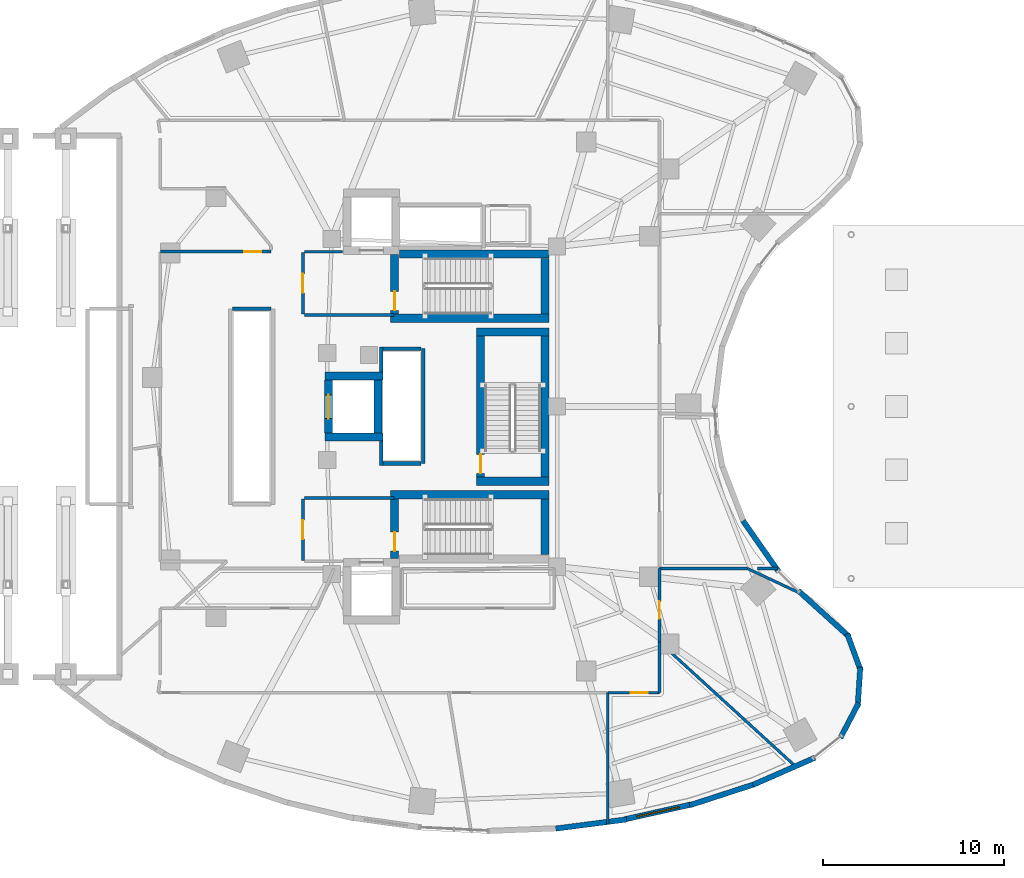
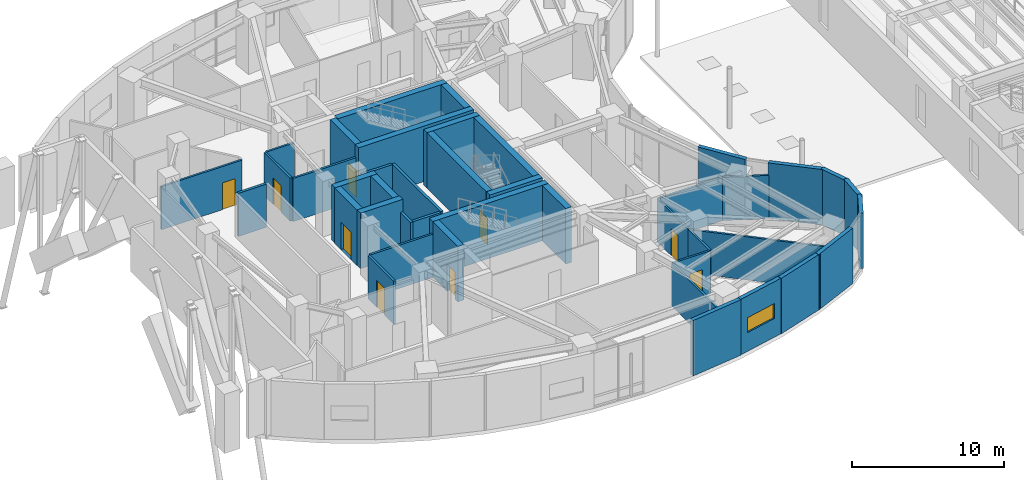
# One storey, part 16 of 24: 44 walls, 9 doors, 1 window, 10 openings.
"""IFC4 building model written with IfcOpenShell, lengths in metres."""

from ifc_helpers import new_model, si_unit, direction, frame, frame_2d, origin, place, context, subcontext, project, spatial, rectangle, extrude, material, layer, layer_set, type_object, element, fill, save


model = new_model("IFC4")

# Units and contexts
model_context = context("Model", 3, precision=1e-05, world=origin(), true_north=direction((0.0, 1.0)))
body_context = subcontext(model_context, "Body", "Model", "MODEL_VIEW")
ifc_project = project(units=[si_unit("LENGTHUNIT", "METRE"), si_unit("AREAUNIT", "SQUARE_METRE"), si_unit("VOLUMEUNIT", "CUBIC_METRE"), si_unit("PLANEANGLEUNIT", "RADIAN"), si_unit("MASSUNIT", "GRAM", prefix="KILO")], contexts=[model_context])

# Site, building, storey
site_placement = place(None, origin())
site = spatial("IfcSite", under=ifc_project, at=site_placement, CompositionType="ELEMENT")
building_placement = place(site_placement, origin())
building = spatial("IfcBuilding", under=site, at=building_placement, Name="Korentha Bioscience Tower", CompositionType="ELEMENT")
storey_placement = place(building_placement, frame((0.0, 0.0, 10.199951171875)))
storey = spatial("IfcBuildingStorey", under=building, at=storey_placement, Name="L02", CompositionType="ELEMENT", Elevation=10.199951171875)

# Wall, opening, door
ifc_material_1 = material(Name="Double-Stud Acoustic Gypsum", Category="gypsum")
ifc_layer_1 = layer(ifc_material_1, 0.14990234375, Name="Double-Stud Acoustic Gypsum")
ifc_layer_set_1 = layer_set([ifc_layer_1], Name="Double-Stud Acoustic Gypsum (IW-L150)")
wall_type_1 = type_object("IfcWallType", Name="Acoustic Laboratory Partition Wall 150", PredefinedType="PARTITIONING", material=ifc_layer_set_1)
wall_1_placement = place(storey_placement, frame((40.35791015625, 11.18994140625, 0.0), z_axis=(0.0, 0.0, 1.0), x_axis=(1.0, 0.0, 0.0)))
wall_1 = element("IfcWall", 1, at=wall_1_placement, inside=storey, type_object=wall_type_1, Name="L02 Faculty Dining Restaurant 06 Entrance Wall", PredefinedType="PARTITIONING", context=body_context, shape_type="SweptSolid", body=[
    extrude(rectangle(XDim=2.842041015625, YDim=0.14990234375, at=frame_2d((1.4208984375, 0.0))), origin(), (0.0, 0.0, 1.0), 3.4599609375),
])
opening_1_placement = place(wall_1_placement, frame((1.25537109375, 0.0, 0.0)))
opening_1 = element("IfcOpeningElement", 2, at=opening_1_placement, cuts=wall_1, Name="Opening ID-10L", PredefinedType="OPENING", context=body_context, shape_type="SweptSolid", body=[
    extrude(rectangle(XDim=0.949951171875, YDim=2.14990234375, at=frame_2d((0.47509765625, 1.074951171875))), frame((0.0, 0.08984375, 0.0), z_axis=(0.0, -1.0, 0.0), x_axis=(1.0, 0.0, 0.0)), (0.0, 0.0, 1.0), 0.1796875),
])
ifc_material_2 = material(Name="Phenolic Laminate Timber Core", Category="wood")
door_type_1 = type_object("IfcDoorType", Name="Laboratory Single Leaf Door 950x2150 Left", OperationType="SINGLE_SWING_LEFT", PredefinedType="DOOR", material=ifc_material_2)
door_1_placement = place(opening_1_placement, origin())
door_1 = element("IfcDoor", 3, at=door_1_placement, inside=storey, type_object=door_type_1, Name="L02 Faculty Dining Restaurant 06 Door", OperationType="SINGLE_SWING_LEFT", OverallHeight=2.14990234375, OverallWidth=0.949951171875, PredefinedType="DOOR", context=body_context, shape_type="SweptSolid", body=[
    extrude(rectangle(XDim=0.949951171875, YDim=2.14990234375, at=frame_2d((0.47509765625, 1.074951171875))), frame((0.0, 0.02490234375, 0.0), z_axis=(0.0, -1.0, 0.0), x_axis=(1.0, 0.0, 0.0)), (0.0, 0.0, 1.0), 0.050048828125),
])
fill(opening_1, door_1)

wall_2_placement = place(storey_placement, frame((43.2099609375, 13.99462890625, 0.0), z_axis=(0.0, 0.0, 1.0), x_axis=(0.0, 1.0, 0.0)))
wall_2 = element("IfcWall", 4, at=wall_2_placement, inside=storey, type_object=wall_type_1, Name="L02 Catering Warming Kitchen 07 Entrance Wall", PredefinedType="PARTITIONING", context=body_context, shape_type="SweptSolid", body=[
    extrude(rectangle(XDim=4.053466796875, YDim=0.14990234375, at=frame_2d((2.02685546875, 0.0))), origin(), (0.0, 0.0, 1.0), 3.4599609375),
])
opening_2_placement = place(wall_2_placement, frame((1.2880859375, 0.0, 0.0)))
opening_2 = element("IfcOpeningElement", 5, at=opening_2_placement, cuts=wall_2, Name="Opening ID-10R", PredefinedType="OPENING", context=body_context, shape_type="SweptSolid", body=[
    extrude(rectangle(XDim=0.949951171875, YDim=2.14990234375, at=frame_2d((0.47509765625, 1.074951171875))), frame((0.0, 0.08984375, 0.0), z_axis=(0.0, -1.0, 0.0), x_axis=(1.0, 0.0, 0.0)), (0.0, 0.0, 1.0), 0.1796875),
])
door_type_2 = type_object("IfcDoorType", Name="Laboratory Single Leaf Door 950x2150 Right", OperationType="SINGLE_SWING_RIGHT", PredefinedType="DOOR", material=ifc_material_2)
door_2_placement = place(opening_2_placement, origin())
door_2 = element("IfcDoor", 6, at=door_2_placement, inside=storey, type_object=door_type_2, Name="L02 Catering Warming Kitchen 07 Door", OperationType="SINGLE_SWING_RIGHT", OverallHeight=2.14990234375, OverallWidth=0.949951171875, PredefinedType="DOOR", context=body_context, shape_type="SweptSolid", body=[
    extrude(rectangle(XDim=0.949951171875, YDim=2.14990234375, at=frame_2d((0.47509765625, 1.074951171875))), frame((0.0, 0.02490234375, 0.0), z_axis=(0.0, -1.0, 0.0), x_axis=(1.0, 0.0, 0.0)), (0.0, 0.0, 1.0), 0.050048828125),
])
fill(opening_2, door_2)

wall_3_placement = place(storey_placement, frame((21.739990234375, 35.56005859375, 0.0), z_axis=(0.0, 0.0, 1.0), x_axis=(-1.0, 0.0, 0.0)))
wall_3 = element("IfcWall", 7, at=wall_3_placement, inside=storey, type_object=wall_type_1, Name="L02 Catering Warming Kitchen 15 Entrance Wall", PredefinedType="PARTITIONING", context=body_context, shape_type="SweptSolid", body=[
    extrude(rectangle(XDim=6.10009765625, YDim=0.14990234375, at=frame_2d((3.050048828125, 0.0))), origin(), (0.0, 0.0, 1.0), 3.4599609375),
])
opening_3_placement = place(wall_3_placement, frame((0.5244140625, 0.0, 0.0)))
opening_3 = element("IfcOpeningElement", 8, at=opening_3_placement, cuts=wall_3, Name="Opening ID-10R", PredefinedType="OPENING", context=body_context, shape_type="SweptSolid", body=[
    extrude(rectangle(XDim=0.949951171875, YDim=2.14990234375, at=frame_2d((0.47509765625, 1.074951171875))), frame((0.0, 0.08984375, 0.0), z_axis=(0.0, -1.0, 0.0), x_axis=(1.0, 0.0, 0.0)), (0.0, 0.0, 1.0), 0.1796875),
])
door_3_placement = place(opening_3_placement, origin())
door_3 = element("IfcDoor", 9, at=door_3_placement, inside=storey, type_object=door_type_2, Name="L02 Catering Warming Kitchen 15 Door", OperationType="SINGLE_SWING_RIGHT", OverallHeight=2.14990234375, OverallWidth=0.949951171875, PredefinedType="DOOR", context=body_context, shape_type="SweptSolid", body=[
    extrude(rectangle(XDim=0.949951171875, YDim=2.14990234375, at=frame_2d((0.47509765625, 1.074951171875))), frame((0.0, 0.02490234375, 0.0), z_axis=(0.0, -1.0, 0.0), x_axis=(1.0, 0.0, 0.0)), (0.0, 0.0, 1.0), 0.050048828125),
])
fill(opening_3, door_3)

# Walls
wall_4_placement = place(storey_placement, frame((40.347900390625, 11.18994140625, 0.0), z_axis=(0.0, 0.0, 1.0), x_axis=(0.0, -1.0, 0.0)))
element("IfcWall", 10, at=wall_4_placement, inside=storey, type_object=wall_type_1, Name="L02 Interior Partition 042", PredefinedType="PARTITIONING", context=body_context, shape_type="SweptSolid", body=[
    extrude(rectangle(XDim=7.259033203125, YDim=0.14990234375, at=frame_2d((3.62939453125, 0.0))), origin(), (0.0, 0.0, 1.0), 3.4599609375),
])
wall_5_placement = place(storey_placement, frame((43.2099609375, 11.199951171875, 0.0), z_axis=(0.0, 0.0, 1.0), x_axis=(0.0, 1.0, 0.0)))
element("IfcWall", 11, at=wall_5_placement, inside=storey, type_object=wall_type_1, Name="L02 Interior Partition 043", PredefinedType="PARTITIONING", context=body_context, shape_type="SweptSolid", body=[
    extrude(rectangle(XDim=2.78466796875, YDim=0.14990234375, at=frame_2d((1.392333984375, 0.0))), origin(), (0.0, 0.0, 1.0), 3.4599609375),
])
wall_6_placement = place(storey_placement, frame((43.2099609375, 13.984619140625, 0.0), z_axis=(0.0, 0.0, 1.0), x_axis=(0.738127488768, -0.674661255984, 0.0)))
element("IfcWall", 12, at=wall_6_placement, inside=storey, type_object=wall_type_1, Name="L02 Interior Partition 044", PredefinedType="PARTITIONING", context=body_context, shape_type="SweptSolid", body=[
    extrude(rectangle(XDim=10.278564453125, YDim=0.14990234375, at=frame_2d((5.13916015625, 0.0))), origin(), (0.0, 0.0, 1.0), 3.4599609375),
])
wall_7_placement = place(storey_placement, frame((43.2099609375, 18.048095703125, 0.0), z_axis=(0.0, 0.0, 1.0), x_axis=(1.0, 0.0, 0.0)))
element("IfcWall", 13, at=wall_7_placement, inside=storey, type_object=wall_type_1, Name="L02 Interior Partition 045", PredefinedType="PARTITIONING", context=body_context, shape_type="SweptSolid", body=[
    extrude(rectangle(XDim=4.85693359375, YDim=0.14990234375, at=frame_2d((2.428466796875, 0.0))), origin(), (0.0, 0.0, 1.0), 3.4599609375),
])
wall_8_placement = place(storey_placement, frame((48.06689453125, 18.048095703125, 0.0), z_axis=(0.0, 0.0, 1.0), x_axis=(0.905453321972, -0.42444585253, 0.0)))
element("IfcWall", 14, at=wall_8_placement, inside=storey, type_object=wall_type_1, Name="L02 Interior Partition 046", PredefinedType="PARTITIONING", context=body_context, shape_type="SweptSolid", body=[
    extrude(rectangle(XDim=3.1337890625, YDim=0.14990234375, at=frame_2d((1.56689453125, 0.0))), origin(), (0.0, 0.0, 1.0), 3.4599609375),
])

# Wall, opening, door
ifc_material_3 = material(Name="Gypsum-Clad Steel Stud", Category="steel")
ifc_layer_2 = layer(ifc_material_3, 0.159912109375, Name="Gypsum-Clad Steel Stud")
ifc_layer_set_2 = layer_set([ifc_layer_2], Name="Gypsum-Clad Steel Stud (IW-C160)")
wall_type_2 = type_object("IfcWallType", Name="Fire-Rated Corridor Partition Wall 160", PredefinedType="PARTITIONING", material=ifc_layer_set_2)
wall_9_placement = place(storey_placement, frame((23.5, 32.10009765625, 0.0), z_axis=(0.0, 0.0, 1.0), x_axis=(0.0, 1.0, 0.0)))
wall_9 = element("IfcWall", 15, at=wall_9_placement, inside=storey, type_object=wall_type_2, Name="L02 FFLN-CW Rated Enclosure Wall", PredefinedType="PARTITIONING", context=body_context, shape_type="SweptSolid", body=[
    extrude(rectangle(XDim=3.39990234375, YDim=0.159912109375, at=frame_2d((1.699951171875, 0.0))), origin(), (0.0, 0.0, 1.0), 3.4599609375),
])
opening_4_placement = place(wall_9_placement, frame((1.175048828125, 0.0, 0.0)))
opening_4 = element("IfcOpeningElement", 16, at=opening_4_placement, cuts=wall_9, Name="Opening FD-90L", PredefinedType="OPENING", context=body_context, shape_type="SweptSolid", body=[
    extrude(rectangle(XDim=1.050048828125, YDim=2.14990234375, at=frame_2d((0.52490234375, 1.074951171875))), frame((0.0, 0.0947265625, 0.0), z_axis=(0.0, -1.0, 0.0), x_axis=(1.0, 0.0, 0.0)), (0.0, 0.0, 1.0), 0.189697265625),
])
ifc_material_4 = material(Name="Powder-Coated Fire-Rated Steel", Category="steel")
door_type_3 = type_object("IfcDoorType", Name="Stairwell Fire Exit Door 1050x2150 Left", OperationType="SINGLE_SWING_LEFT", PredefinedType="DOOR", material=ifc_material_4)
door_4_placement = place(opening_4_placement, origin())
door_4 = element("IfcDoor", 17, at=door_4_placement, inside=storey, type_object=door_type_3, Name="L02 North Firefighting Lobby Door", OperationType="SINGLE_SWING_LEFT", OverallHeight=2.14990234375, OverallWidth=1.050048828125, PredefinedType="DOOR", context=body_context, shape_type="SweptSolid", body=[
    extrude(rectangle(XDim=1.050048828125, YDim=2.14990234375, at=frame_2d((0.52490234375, 1.074951171875))), frame((0.0, 0.02490234375, 0.0), z_axis=(0.0, -1.0, 0.0), x_axis=(1.0, 0.0, 0.0)), (0.0, 0.0, 1.0), 0.050048828125),
])
fill(opening_4, door_4)

wall_10_placement = place(storey_placement, frame((23.5, 18.5, 0.0), z_axis=(0.0, 0.0, 1.0), x_axis=(0.0, 1.0, 0.0)))
wall_10 = element("IfcWall", 18, at=wall_10_placement, inside=storey, type_object=wall_type_2, Name="L02 FFLS-CW Rated Enclosure Wall", PredefinedType="PARTITIONING", context=body_context, shape_type="SweptSolid", body=[
    extrude(rectangle(XDim=3.39990234375, YDim=0.159912109375, at=frame_2d((1.699951171875, 0.0))), origin(), (0.0, 0.0, 1.0), 3.4599609375),
])
opening_5_placement = place(wall_10_placement, frame((1.175048828125, 0.0, 0.0)))
opening_5 = element("IfcOpeningElement", 19, at=opening_5_placement, cuts=wall_10, Name="Opening FD-90L", PredefinedType="OPENING", context=body_context, shape_type="SweptSolid", body=[
    extrude(rectangle(XDim=1.050048828125, YDim=2.14990234375, at=frame_2d((0.52490234375, 1.074951171875))), frame((0.0, 0.0947265625, 0.0), z_axis=(0.0, -1.0, 0.0), x_axis=(1.0, 0.0, 0.0)), (0.0, 0.0, 1.0), 0.189697265625),
])
door_5_placement = place(opening_5_placement, origin())
door_5 = element("IfcDoor", 20, at=door_5_placement, inside=storey, type_object=door_type_3, Name="L02 South Firefighting Lobby Door", OperationType="SINGLE_SWING_LEFT", OverallHeight=2.14990234375, OverallWidth=1.050048828125, PredefinedType="DOOR", context=body_context, shape_type="SweptSolid", body=[
    extrude(rectangle(XDim=1.050048828125, YDim=2.14990234375, at=frame_2d((0.52490234375, 1.074951171875))), frame((0.0, 0.02490234375, 0.0), z_axis=(0.0, -1.0, 0.0), x_axis=(1.0, 0.0, 0.0)), (0.0, 0.0, 1.0), 0.050048828125),
])
fill(opening_5, door_5)

# Walls
wall_11_placement = place(storey_placement, frame((23.580078125, 32.050048828125, 0.0), z_axis=(0.0, 0.0, 1.0), x_axis=(1.0, 0.0, 0.0)))
element("IfcWall", 21, at=wall_11_placement, inside=storey, type_object=wall_type_2, Name="L02 Firefighting Lobby Return Wall FFLN-S", PredefinedType="PARTITIONING", context=body_context, shape_type="SweptSolid", body=[
    extrude(rectangle(XDim=4.969970703125, YDim=0.159912109375, at=frame_2d((2.48486328125, 0.0))), origin(), (0.0, 0.0, 1.0), 3.4599609375),
])
wall_12_placement = place(storey_placement, frame((23.580078125, 35.550048828125, 0.0), z_axis=(0.0, 0.0, 1.0), x_axis=(1.0, 0.0, 0.0)))
element("IfcWall", 22, at=wall_12_placement, inside=storey, type_object=wall_type_2, Name="L02 Firefighting Lobby Return Wall FFLN-N", PredefinedType="PARTITIONING", context=body_context, shape_type="SweptSolid", body=[
    extrude(rectangle(XDim=2.119873046875, YDim=0.159912109375, at=frame_2d((1.06005859375, 0.0))), origin(), (0.0, 0.0, 1.0), 3.4599609375),
])
wall_13_placement = place(storey_placement, frame((23.580078125, 21.949951171875, 0.0), z_axis=(0.0, 0.0, 1.0), x_axis=(1.0, 0.0, 0.0)))
element("IfcWall", 23, at=wall_13_placement, inside=storey, type_object=wall_type_2, Name="L02 Firefighting Lobby Return Wall FFLS-N", PredefinedType="PARTITIONING", context=body_context, shape_type="SweptSolid", body=[
    extrude(rectangle(XDim=4.969970703125, YDim=0.159912109375, at=frame_2d((2.48486328125, 0.0))), origin(), (0.0, 0.0, 1.0), 3.4599609375),
])
wall_14_placement = place(storey_placement, frame((49.73828125, 18.052001953125, 0.0), z_axis=(0.0, 0.0, 1.0), x_axis=(-1.0, 0.0, 0.0)))
element("IfcWall", 24, at=wall_14_placement, inside=storey, type_object=wall_type_2, Name="L02 Interior Partition 047", PredefinedType="PARTITIONING", context=body_context, shape_type="SweptSolid", body=[
    extrude(rectangle(XDim=1.114501953125, YDim=0.159912109375, at=frame_2d((0.55712890625, 0.0))), origin(), (0.0, 0.0, 1.0), 3.4599609375),
])

# Wall, opening, window
ifc_material_5 = material(Name="Honed Limestone Precast Concrete C40", Category="masonry")
ifc_layer_3 = layer(ifc_material_5, 0.300048828125, Name="Honed Limestone Precast Concrete C40")
ifc_layer_set_3 = layer_set([ifc_layer_3], Name="Honed Limestone Precast Concrete C40 (EW-ST300)")
wall_type_3 = type_object("IfcWallType", Name="Honed Limestone Cavity Spandrel Wall 300", PredefinedType="STANDARD", material=ifc_layer_set_3)
wall_15_placement = place(storey_placement, frame((41.239990234375, 4.17919921875, 0.0), z_axis=(0.0, 0.0, 1.0), x_axis=(0.9758772609, 0.218319883791, 0.0)))
wall_15 = element("IfcWall", 25, at=wall_15_placement, inside=storey, type_object=wall_type_3, Name="L02 Honed Limestone Spandrel Wall 34", PredefinedType="STANDARD", context=body_context, shape_type="SweptSolid", body=[
    extrude(rectangle(XDim=3.869140625, YDim=0.300048828125, at=frame_2d((1.9345703125, 0.0))), origin(), (0.0, 0.0, 1.0), 4.449951171875),
])
opening_6_placement = place(wall_15_placement, frame((0.734619140625, 0.0, 1.5)))
opening_6 = element("IfcOpeningElement", 26, at=opening_6_placement, cuts=wall_15, Name="Opening WN-04", PredefinedType="OPENING", context=body_context, shape_type="SweptSolid", body=[
    extrude(rectangle(XDim=2.39990234375, YDim=1.199951171875, at=frame_2d((1.199951171875, 0.60009765625))), frame((0.0, 0.1650390625, 0.0), z_axis=(0.0, -1.0, 0.0), x_axis=(1.0, 0.0, 0.0)), (0.0, 0.0, 1.0), 0.329833984375),
])
ifc_material_6 = material(Name="Thermally Broken Aluminium Triple Glazing", Category="aluminium")
window_type = type_object("IfcWindowType", Name="Podium Clerestory Ribbon Window 2400x1200", PartitioningType="DOUBLE_PANEL_HORIZONTAL", PredefinedType="WINDOW", material=ifc_material_6)
window_placement = place(opening_6_placement, origin())
window = element("IfcWindow", 27, at=window_placement, inside=storey, type_object=window_type, Name="L02 Facade Window 34", OverallHeight=1.199951171875, OverallWidth=2.39990234375, PartitioningType="DOUBLE_PANEL_HORIZONTAL", PredefinedType="WINDOW", context=body_context, shape_type="SweptSolid", body=[
    extrude(rectangle(XDim=2.39990234375, YDim=1.199951171875, at=frame_2d((1.199951171875, 0.60009765625))), frame((0.0, 0.030029296875, 0.0), z_axis=(0.0, -1.0, 0.0), x_axis=(1.0, 0.0, 0.0)), (0.0, 0.0, 1.0), 0.06005859375),
])
fill(opening_6, window)

# Walls
wall_16_placement = place(storey_placement, frame((37.471923828125, 3.677734375, 0.0), z_axis=(0.0, 0.0, 1.0), x_axis=(0.991734095036, 0.128310111617, 0.0)))
element("IfcWall", 28, at=wall_16_placement, inside=storey, type_object=wall_type_3, Name="L02 Limestone Perimeter Closure Wall 33", PredefinedType="STANDARD", context=body_context, shape_type="SweptSolid", body=[
    extrude(rectangle(XDim=3.955810546875, YDim=0.300048828125, at=frame_2d((1.97802734375, 0.0))), origin(), (0.0, 0.0, 1.0), 4.449951171875),
])
wall_17_placement = place(storey_placement, frame((44.872802734375, 4.963134765625, 0.0), z_axis=(0.0, 0.0, 1.0), x_axis=(0.950965833732, 0.309295947393, 0.0)))
element("IfcWall", 29, at=wall_17_placement, inside=storey, type_object=wall_type_3, Name="L02 Limestone Perimeter Closure Wall 35", PredefinedType="STANDARD", context=body_context, shape_type="SweptSolid", body=[
    extrude(rectangle(XDim=3.840087890625, YDim=0.300048828125, at=frame_2d((1.919921875, 0.0))), origin(), (0.0, 0.0, 1.0), 4.449951171875),
])
wall_18_placement = place(storey_placement, frame((48.3623046875, 6.089111328125, 0.0), z_axis=(0.0, 0.0, 1.0), x_axis=(0.915945168042, 0.401303437738, 0.0)))
element("IfcWall", 30, at=wall_18_placement, inside=storey, type_object=wall_type_3, Name="L02 Limestone Perimeter Closure Wall 36", PredefinedType="STANDARD", context=body_context, shape_type="SweptSolid", body=[
    extrude(rectangle(XDim=3.75244140625, YDim=0.300048828125, at=frame_2d((1.876220703125, 0.0))), origin(), (0.0, 0.0, 1.0), 4.449951171875),
])
wall_19_placement = place(storey_placement, frame((53.20751953125, 8.691650390625, 0.0), z_axis=(0.0, 0.0, 1.0), x_axis=(0.463035066673, 0.886339961319, 0.0)))
element("IfcWall", 31, at=wall_19_placement, inside=storey, type_object=wall_type_3, Name="L02 Limestone Perimeter Closure Wall 38", PredefinedType="STANDARD", context=body_context, shape_type="SweptSolid", body=[
    extrude(rectangle(XDim=2.1875, YDim=0.300048828125, at=frame_2d((1.09375, 0.0))), origin(), (0.0, 0.0, 1.0), 4.449951171875),
])
for number, where, z_axis, x_axis, name in (
    (32, (54.16259765625, 10.42431640625, 0.0), (0.0, 0.0, 1.0), (0.064615302336, 0.99791024782, 0.0), "L02 Limestone Perimeter Closure Wall 39"),
    (33, (54.334716796875, 12.39501953125, 0.0), (0.0, 0.0, 1.0), (-0.344939866054, 0.938624785954, 0.0), "L02 Limestone Perimeter Closure Wall 40"),
):
    element("IfcWall", number, at=place(storey_placement, frame(where, z_axis=z_axis, x_axis=x_axis)), inside=storey, type_object=wall_type_3, Name=name, PredefinedType="STANDARD", context=body_context, shape_type="SweptSolid", body=[
        extrude(rectangle(XDim=2.187744140625, YDim=0.300048828125, at=frame_2d((1.09375, 0.0))), origin(), (0.0, 0.0, 1.0), 4.449951171875),
    ])
wall_20_placement = place(storey_placement, frame((53.704345703125, 14.26416015625, 0.0), z_axis=(0.0, 0.0, 1.0), x_axis=(-0.74117794387, 0.671308614216, 0.0)))
element("IfcWall", 34, at=wall_20_placement, inside=storey, type_object=wall_type_3, Name="L02 Limestone Perimeter Closure Wall 41", PredefinedType="STANDARD", context=body_context, shape_type="SweptSolid", body=[
    extrude(rectangle(XDim=3.815673828125, YDim=0.300048828125, at=frame_2d((1.90771484375, 0.0))), origin(), (0.0, 0.0, 1.0), 4.449951171875),
])
wall_21_placement = place(storey_placement, frame((49.79248046875, 17.8779296875, 0.0), z_axis=(0.0, 0.0, 1.0), x_axis=(-0.573576992806, 0.819151654655, 0.0)))
element("IfcWall", 35, at=wall_21_placement, inside=storey, type_object=wall_type_3, Name="L02 Limestone Perimeter Closure Wall 44", PredefinedType="STANDARD", context=body_context, shape_type="SweptSolid", body=[
    extrude(rectangle(XDim=3.429931640625, YDim=0.300048828125, at=frame_2d((1.71484375, 0.0))), origin(), (0.0, 0.0, 1.0), 4.449951171875),
])
ifc_material_7 = material(Name="Autoclaved Aerated Concrete Block C25", Category="concrete")
ifc_layer_4 = layer(ifc_material_7, 0.199951171875, Name="Autoclaved Aerated Concrete Block C25")
ifc_layer_set_4 = layer_set([ifc_layer_4], Name="Autoclaved Aerated Concrete Block C25 (IW-S200)")
wall_type_4 = type_object("IfcWallType", Name="Lift and Riser Shaft Enclosure Wall 200", PredefinedType="PARTITIONING", material=ifc_layer_set_4)
wall_22_placement = place(storey_placement, frame((19.6201171875, 32.39990234375, 0.0), z_axis=(0.0, 0.0, 1.0), x_axis=(1.0, 0.0, 0.0)))
element("IfcWall", 36, at=wall_22_placement, inside=storey, type_object=wall_type_4, Name="L02 Lift Bank MID Shaft Wall +Y", PredefinedType="PARTITIONING", context=body_context, shape_type="SweptSolid", body=[
    extrude(rectangle(XDim=2.10986328125, YDim=0.199951171875, at=frame_2d((1.054931640625, 0.0))), origin(), (0.0, 0.0, 1.0), 3.4599609375),
])
wall_23_placement = place(storey_placement, frame((27.830078125, 23.75, 0.0), z_axis=(0.0, 0.0, 1.0), x_axis=(0.0, 1.0, 0.0)))
element("IfcWall", 37, at=wall_23_placement, inside=storey, type_object=wall_type_4, Name="L02 Lift Bank HIGH Shaft Wall -XS", PredefinedType="PARTITIONING", context=body_context, shape_type="SweptSolid", body=[
    extrude(rectangle(XDim=1.341064453125, YDim=0.199951171875, at=frame_2d((0.67041015625, 0.0))), origin(), (0.0, 0.0, 1.0), 3.4599609375),
])
wall_24_placement = place(storey_placement, frame((27.830078125, 28.908935546875, 0.0), z_axis=(0.0, 0.0, 1.0), x_axis=(0.0, 1.0, 0.0)))
element("IfcWall", 38, at=wall_24_placement, inside=storey, type_object=wall_type_4, Name="L02 Lift Bank HIGH Shaft Wall -XN", PredefinedType="PARTITIONING", context=body_context, shape_type="SweptSolid", body=[
    extrude(rectangle(XDim=1.39111328125, YDim=0.199951171875, at=frame_2d((0.695556640625, 0.0))), origin(), (0.0, 0.0, 1.0), 3.4599609375),
])
wall_25_placement = place(storey_placement, frame((30.14990234375, 23.85009765625, 0.0), z_axis=(0.0, 0.0, 1.0), x_axis=(0.0, 1.0, 0.0)))
element("IfcWall", 39, at=wall_25_placement, inside=storey, type_object=wall_type_4, Name="L02 Lift Bank HIGH Shaft Wall +X", PredefinedType="PARTITIONING", context=body_context, shape_type="SweptSolid", body=[
    extrude(rectangle(XDim=6.349853515625, YDim=0.199951171875, at=frame_2d((3.1748046875, 0.0))), origin(), (0.0, 0.0, 1.0), 3.4599609375),
])
for number, where, z_axis, x_axis, name in (
    (40, (27.93408203125, 23.85009765625, 0.0), (0.0, 0.0, 1.0), (1.0, 0.0, 0.0), "L02 Lift Bank HIGH Shaft Wall -Y"),
    (41, (27.93408203125, 30.199951171875, 0.0), (0.0, 0.0, 1.0), (1.0, 0.0, 0.0), "L02 Lift Bank HIGH Shaft Wall +Y"),
):
    element("IfcWall", number, at=place(storey_placement, frame(where, z_axis=z_axis, x_axis=x_axis)), inside=storey, type_object=wall_type_4, Name=name, PredefinedType="PARTITIONING", context=body_context, shape_type="SweptSolid", body=[
        extrude(rectangle(XDim=2.095947265625, YDim=0.199951171875, at=frame_2d((1.0478515625, 0.0))), origin(), (0.0, 0.0, 1.0), 3.4599609375),
    ])
ifc_material_8 = material(Name="Concrete C80", Category="concrete")
ifc_layer_5 = layer(ifc_material_8, 0.449951171875, Name="Concrete C80")
ifc_layer_set_5 = layer_set([ifc_layer_5], Name="Concrete C80 (CW-C80)")
wall_type_5 = type_object("IfcWallType", Name="Lower Core Shear Wall 450", PredefinedType="SHEAR", material=ifc_layer_set_5)
wall_26_placement = place(storey_placement, frame((28.85205078125, 35.425048828125, 0.0), z_axis=(0.0, 0.0, 1.0), x_axis=(1.0, 0.0, 0.0)))
element("IfcWall", 42, at=wall_26_placement, inside=storey, type_object=wall_type_5, Name="L02 Core Shear Wall ST1-N", PredefinedType="SHEAR", context=body_context, shape_type="SweptSolid", body=[
    extrude(rectangle(XDim=8.248046875, YDim=0.449951171875, at=frame_2d((4.1240234375, 0.0))), origin(), (0.0, 0.0, 1.0), 4.449951171875),
])
wall_27_placement = place(storey_placement, frame((28.35009765625, 31.875, 0.0), z_axis=(0.0, 0.0, 1.0), x_axis=(1.0, 0.0, 0.0)))
element("IfcWall", 43, at=wall_27_placement, inside=storey, type_object=wall_type_5, Name="L02 Core Shear Wall ST1-S", PredefinedType="SHEAR", context=body_context, shape_type="SweptSolid", body=[
    extrude(rectangle(XDim=8.75, YDim=0.449951171875, at=frame_2d((4.375, 0.0))), origin(), (0.0, 0.0, 1.0), 4.449951171875),
])
wall_28_placement = place(storey_placement, frame((36.875, 32.110107421875, 0.0), z_axis=(0.0, 0.0, 1.0), x_axis=(0.0, 1.0, 0.0)))
element("IfcWall", 44, at=wall_28_placement, inside=storey, type_object=wall_type_5, Name="L02 Core Shear Wall ST1-E", PredefinedType="SHEAR", context=body_context, shape_type="SweptSolid", body=[
    extrude(rectangle(XDim=3.079833984375, YDim=0.449951171875, at=frame_2d((1.5400390625, 0.0))), origin(), (0.0, 0.0, 1.0), 4.449951171875),
])

# Wall, opening, door
wall_29_placement = place(storey_placement, frame((28.574951171875, 32.110107421875, 0.0), z_axis=(0.0, 0.0, 1.0), x_axis=(0.0, 1.0, 0.0)))
wall_29 = element("IfcWall", 45, at=wall_29_placement, inside=storey, type_object=wall_type_5, Name="L02 Core Shear Wall ST1-W", PredefinedType="SHEAR", context=body_context, shape_type="SweptSolid", body=[
    extrude(rectangle(XDim=3.282958984375, YDim=0.449951171875, at=frame_2d((1.6416015625, 0.0))), origin(), (0.0, 0.0, 1.0), 4.449951171875),
])
opening_7_placement = place(wall_29_placement, frame((0.199951171875, 0.0, 0.0)))
opening_7 = element("IfcOpeningElement", 46, at=opening_7_placement, cuts=wall_29, Name="Opening FD-90L", PredefinedType="OPENING", context=body_context, shape_type="SweptSolid", body=[
    extrude(rectangle(XDim=1.050048828125, YDim=2.14990234375, at=frame_2d((0.52490234375, 1.074951171875))), frame((0.0, 0.23974609375, 0.0), z_axis=(0.0, -1.0, 0.0), x_axis=(1.0, 0.0, 0.0)), (0.0, 0.0, 1.0), 0.479736328125),
])
door_6_placement = place(opening_7_placement, origin())
door_6 = element("IfcDoor", 47, at=door_6_placement, inside=storey, type_object=door_type_3, Name="L02 ST-1 Fire Exit Stair Door", OperationType="SINGLE_SWING_LEFT", OverallHeight=2.14990234375, OverallWidth=1.050048828125, PredefinedType="DOOR", context=body_context, shape_type="SweptSolid", body=[
    extrude(rectangle(XDim=1.050048828125, YDim=2.14990234375, at=frame_2d((0.52490234375, 1.074951171875))), frame((0.0, 0.02490234375, 0.0), z_axis=(0.0, -1.0, 0.0), x_axis=(1.0, 0.0, 0.0)), (0.0, 0.0, 1.0), 0.050048828125),
])
fill(opening_7, door_6)

# Walls
wall_30_placement = place(storey_placement, frame((28.35009765625, 22.125, 0.0), z_axis=(0.0, 0.0, 1.0), x_axis=(1.0, 0.0, 0.0)))
element("IfcWall", 48, at=wall_30_placement, inside=storey, type_object=wall_type_5, Name="L02 Core Shear Wall ST2-N", PredefinedType="SHEAR", context=body_context, shape_type="SweptSolid", body=[
    extrude(rectangle(XDim=8.75, YDim=0.449951171875, at=frame_2d((4.375, 0.0))), origin(), (0.0, 0.0, 1.0), 4.449951171875),
])
wall_31_placement = place(storey_placement, frame((36.875, 18.81005859375, 0.0), z_axis=(0.0, 0.0, 1.0), x_axis=(0.0, 1.0, 0.0)))
element("IfcWall", 49, at=wall_31_placement, inside=storey, type_object=wall_type_5, Name="L02 Core Shear Wall ST2-E", PredefinedType="SHEAR", context=body_context, shape_type="SweptSolid", body=[
    extrude(rectangle(XDim=3.079833984375, YDim=0.449951171875, at=frame_2d((1.5400390625, 0.0))), origin(), (0.0, 0.0, 1.0), 4.449951171875),
])

# Wall, opening, door
wall_32_placement = place(storey_placement, frame((28.574951171875, 18.60693359375, 0.0), z_axis=(0.0, 0.0, 1.0), x_axis=(0.0, 1.0, 0.0)))
wall_32 = element("IfcWall", 50, at=wall_32_placement, inside=storey, type_object=wall_type_5, Name="L02 Core Shear Wall ST2-W", PredefinedType="SHEAR", context=body_context, shape_type="SweptSolid", body=[
    extrude(rectangle(XDim=3.282958984375, YDim=0.449951171875, at=frame_2d((1.6416015625, 0.0))), origin(), (0.0, 0.0, 1.0), 4.449951171875),
])
opening_8_placement = place(wall_32_placement, frame((0.403076171875, 0.0, 0.0)))
opening_8 = element("IfcOpeningElement", 51, at=opening_8_placement, cuts=wall_32, Name="Opening FD-90L", PredefinedType="OPENING", context=body_context, shape_type="SweptSolid", body=[
    extrude(rectangle(XDim=1.050048828125, YDim=2.14990234375, at=frame_2d((0.52490234375, 1.074951171875))), frame((0.0, 0.23974609375, 0.0), z_axis=(0.0, -1.0, 0.0), x_axis=(1.0, 0.0, 0.0)), (0.0, 0.0, 1.0), 0.479736328125),
])
door_7_placement = place(opening_8_placement, origin())
door_7 = element("IfcDoor", 52, at=door_7_placement, inside=storey, type_object=door_type_3, Name="L02 ST-2 Fire Exit Stair Door", OperationType="SINGLE_SWING_LEFT", OverallHeight=2.14990234375, OverallWidth=1.050048828125, PredefinedType="DOOR", context=body_context, shape_type="SweptSolid", body=[
    extrude(rectangle(XDim=1.050048828125, YDim=2.14990234375, at=frame_2d((0.52490234375, 1.074951171875))), frame((0.0, 0.02490234375, 0.0), z_axis=(0.0, -1.0, 0.0), x_axis=(1.0, 0.0, 0.0)), (0.0, 0.0, 1.0), 0.050048828125),
])
fill(opening_8, door_7)

# Walls
for number, where, z_axis, x_axis, name in (
    (53, (33.10009765625, 31.125, 0.0), (0.0, 0.0, 1.0), (1.0, 0.0, 0.0), "L02 Core Shear Wall ST3-N"),
    (54, (33.10009765625, 22.875, 0.0), (0.0, 0.0, 1.0), (1.0, 0.0, 0.0), "L02 Core Shear Wall ST3-S"),
):
    element("IfcWall", number, at=place(storey_placement, frame(where, z_axis=z_axis, x_axis=x_axis)), inside=storey, type_object=wall_type_5, Name=name, PredefinedType="SHEAR", context=body_context, shape_type="SweptSolid", body=[
        extrude(rectangle(XDim=4.0, YDim=0.449951171875, at=frame_2d((2.0, 0.0))), origin(), (0.0, 0.0, 1.0), 4.449951171875),
    ])
wall_33_placement = place(storey_placement, frame((36.875, 23.110107421875, 0.0), z_axis=(0.0, 0.0, 1.0), x_axis=(0.0, 1.0, 0.0)))
element("IfcWall", 55, at=wall_33_placement, inside=storey, type_object=wall_type_5, Name="L02 Core Shear Wall ST3-E", PredefinedType="SHEAR", context=body_context, shape_type="SweptSolid", body=[
    extrude(rectangle(XDim=7.77978515625, YDim=0.449951171875, at=frame_2d((3.889892578125, 0.0))), origin(), (0.0, 0.0, 1.0), 4.449951171875),
])

# Wall, opening, door
wall_34_placement = place(storey_placement, frame((33.324951171875, 23.110107421875, 0.0), z_axis=(0.0, 0.0, 1.0), x_axis=(0.0, 1.0, 0.0)))
wall_34 = element("IfcWall", 56, at=wall_34_placement, inside=storey, type_object=wall_type_5, Name="L02 Core Shear Wall ST3-W", PredefinedType="SHEAR", context=body_context, shape_type="SweptSolid", body=[
    extrude(rectangle(XDim=7.77978515625, YDim=0.449951171875, at=frame_2d((3.889892578125, 0.0))), origin(), (0.0, 0.0, 1.0), 4.449951171875),
])
opening_9_placement = place(wall_34_placement, frame((0.199951171875, 0.0, 0.0)))
opening_9 = element("IfcOpeningElement", 57, at=opening_9_placement, cuts=wall_34, Name="Opening FD-90L", PredefinedType="OPENING", context=body_context, shape_type="SweptSolid", body=[
    extrude(rectangle(XDim=1.050048828125, YDim=2.14990234375, at=frame_2d((0.52490234375, 1.074951171875))), frame((0.0, 0.23974609375, 0.0), z_axis=(0.0, -1.0, 0.0), x_axis=(1.0, 0.0, 0.0)), (0.0, 0.0, 1.0), 0.479736328125),
])
door_8_placement = place(opening_9_placement, origin())
door_8 = element("IfcDoor", 58, at=door_8_placement, inside=storey, type_object=door_type_3, Name="L02 ST-3 Fire Exit Stair Door", OperationType="SINGLE_SWING_LEFT", OverallHeight=2.14990234375, OverallWidth=1.050048828125, PredefinedType="DOOR", context=body_context, shape_type="SweptSolid", body=[
    extrude(rectangle(XDim=1.050048828125, YDim=2.14990234375, at=frame_2d((0.52490234375, 1.074951171875))), frame((0.0, 0.02490234375, 0.0), z_axis=(0.0, -1.0, 0.0), x_axis=(1.0, 0.0, 0.0)), (0.0, 0.0, 1.0), 0.050048828125),
])
fill(opening_9, door_8)

# Walls
for number, where, z_axis, x_axis, name in (
    (59, (24.719970703125, 28.679931640625, 0.0), (0.0, 0.0, 1.0), (1.0, 0.0, 0.0), "L02 Core Shear Wall SVL1-N"),
    (60, (24.719970703125, 25.320068359375, 0.0), (0.0, 0.0, 1.0), (1.0, 0.0, 0.0), "L02 Core Shear Wall SVL1-S"),
):
    element("IfcWall", number, at=place(storey_placement, frame(where, z_axis=z_axis, x_axis=x_axis)), inside=storey, type_object=wall_type_5, Name=name, PredefinedType="SHEAR", context=body_context, shape_type="SweptSolid", body=[
        extrude(rectangle(XDim=3.2099609375, YDim=0.449951171875, at=frame_2d((1.60498046875, 0.0))), origin(), (0.0, 0.0, 1.0), 4.449951171875),
    ])

# Wall, opening, door
wall_35_placement = place(storey_placement, frame((24.919921875, 25.547119140625, 0.0), z_axis=(0.0, 0.0, 1.0), x_axis=(0.0, 1.0, 0.0)))
wall_35 = element("IfcWall", 61, at=wall_35_placement, inside=storey, type_object=wall_type_5, Name="L02 Core Shear Wall SVL1-W", PredefinedType="SHEAR", context=body_context, shape_type="SweptSolid", body=[
    extrude(rectangle(XDim=2.90576171875, YDim=0.449951171875, at=frame_2d((1.452880859375, 0.0))), origin(), (0.0, 0.0, 1.0), 4.449951171875),
])
opening_10_placement = place(wall_35_placement, frame((0.7900390625, 0.0, 0.0)))
opening_10 = element("IfcOpeningElement", 62, at=opening_10_placement, cuts=wall_35, Name="Opening LD-13", PredefinedType="OPENING", context=body_context, shape_type="SweptSolid", body=[
    extrude(rectangle(XDim=1.300048828125, YDim=2.199951171875, at=frame_2d((0.64990234375, 1.10009765625))), frame((0.0, 0.23974609375, 0.0), z_axis=(0.0, -1.0, 0.0), x_axis=(1.0, 0.0, 0.0)), (0.0, 0.0, 1.0), 0.479736328125),
])
ifc_material_9 = material(Name="Brushed Stainless Steel 316", Category="steel")
door_type_4 = type_object("IfcDoorType", Name="Service & Firefighting Lift Landing Door 1300x2300", OperationType="DOUBLE_DOOR_SLIDING", PredefinedType="DOOR", material=ifc_material_9)
door_9_placement = place(opening_10_placement, origin())
door_9 = element("IfcDoor", 63, at=door_9_placement, inside=storey, type_object=door_type_4, Name="L02 SVL-1 Sliding Lift Landing Door", OperationType="DOUBLE_DOOR_SLIDING", OverallHeight=2.199951171875, OverallWidth=1.300048828125, PredefinedType="DOOR", context=body_context, shape_type="SweptSolid", body=[
    extrude(rectangle(XDim=1.300048828125, YDim=2.199951171875, at=frame_2d((0.64990234375, 1.10009765625))), frame((0.0, 0.02490234375, 0.0), z_axis=(0.0, -1.0, 0.0), x_axis=(1.0, 0.0, 0.0)), (0.0, 0.0, 1.0), 0.050048828125),
])
fill(opening_10, door_9)

# Wall
wall_36_placement = place(storey_placement, frame((27.64990234375, 25.547119140625, 0.0), z_axis=(0.0, 0.0, 1.0), x_axis=(0.0, 1.0, 0.0)))
element("IfcWall", 64, at=wall_36_placement, inside=storey, type_object=wall_type_5, Name="L02 Core Shear Wall SVL1-E", PredefinedType="SHEAR", context=body_context, shape_type="SweptSolid", body=[
    extrude(rectangle(XDim=2.90576171875, YDim=0.449951171875, at=frame_2d((1.452880859375, 0.0))), origin(), (0.0, 0.0, 1.0), 4.449951171875),
])

save(model, "model.ifc")
